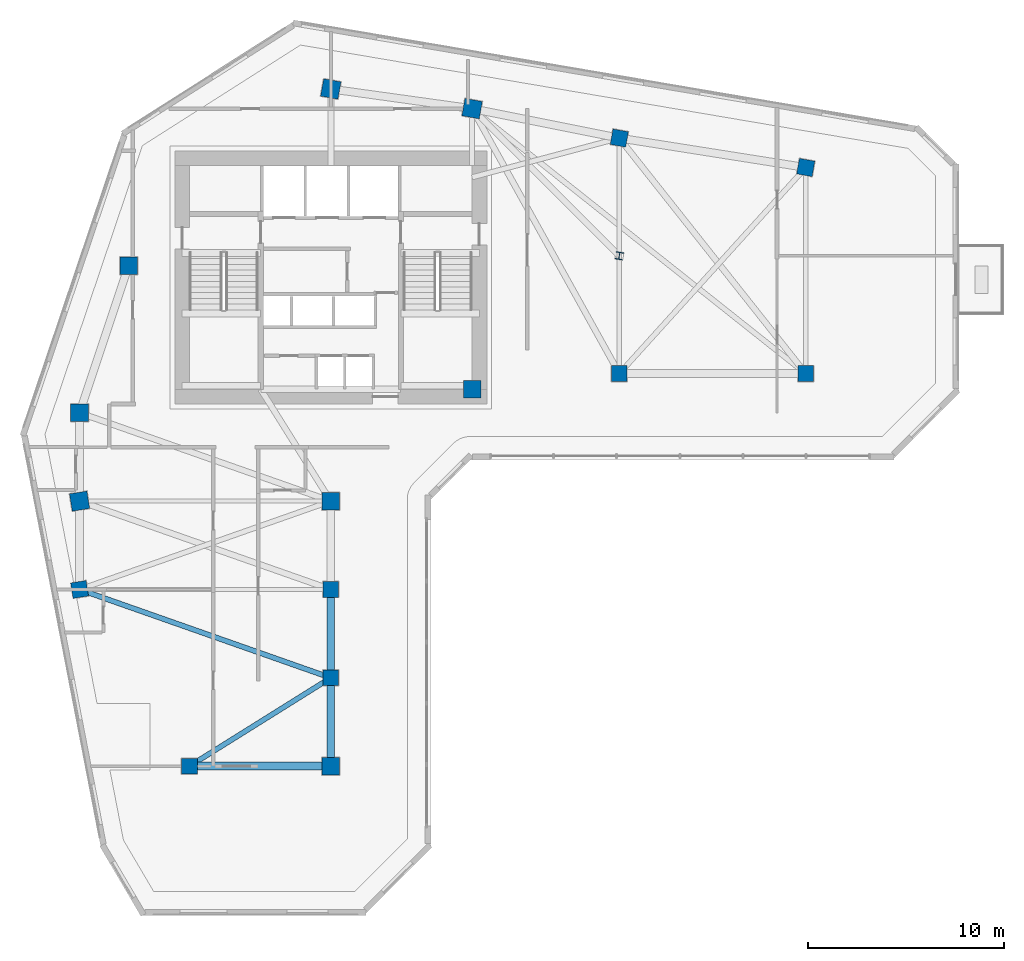
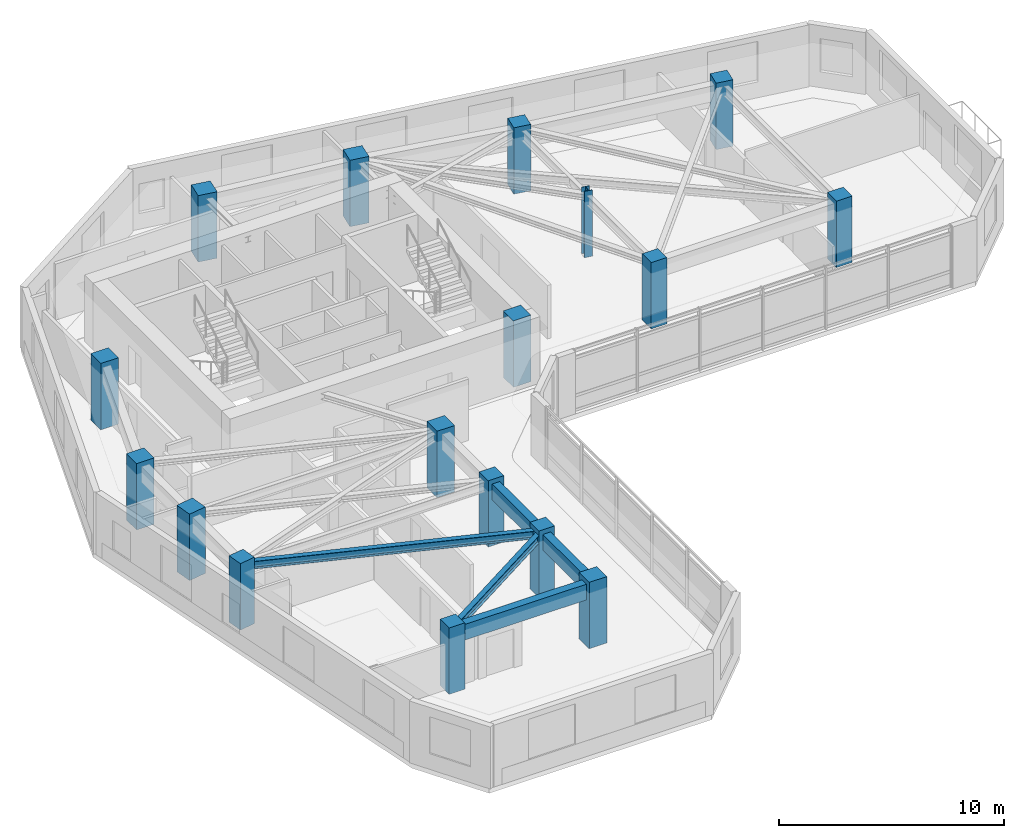
# One storey, part 1 of 13: 17 columns, 5 beams.
"""IFC4 building model written with IfcOpenShell, lengths in metres."""

import ifcopenshell
import ifcopenshell.guid

model = None  # the IFC model being written
_history = None  # IfcOwnerHistory: only IFC2X3 demands one
_inside = {}  # id of a spatial element -> (the spatial element, [elements in it])
_under = {}  # id of a project, library or spatial element -> (it, [spatial elements below it])
_declared = {}  # id of a project -> (the project, [libraries it declares])
_typed = {}  # id of a type object -> (the type object, [elements of that type])
_made_of = {}  # id of a material, layer set ... -> (it, [elements and type objects made of it])


def new_model(schema):
    """Start an empty IFC model of exactly this schema.

    Asked for "IFC4X3", IfcOpenShell would pick the latest addendum, in which some entities
    have other attributes; the version numbers below select the first issue.
    IFC2X3 requires an IfcOwnerHistory on every rooted entity: one is made here for all.
    """
    global model, _history
    if schema == "IFC4X3":
        model = ifcopenshell.file(schema_version=(4, 3, 0, 0))
    else:
        model = ifcopenshell.file(schema=schema)
    _inside.clear()
    _under.clear()
    _declared.clear()
    _typed.clear()
    _made_of.clear()
    _history = None
    if model.schema == "IFC2X3":
        org = make("IfcOrganization", Name="unknown")
        user = make(
            "IfcPersonAndOrganization",
            ThePerson=make("IfcPerson", FamilyName="unknown"),
            TheOrganization=org,
        )
        app = make(
            "IfcApplication",
            ApplicationDeveloper=org,
            Version="unknown",
            ApplicationFullName="unknown",
            ApplicationIdentifier="unknown",
        )
        _history = make(
            "IfcOwnerHistory",
            OwningUser=user,
            OwningApplication=app,
            ChangeAction="ADDED",
            CreationDate=0,
        )
    return model


def make(cls, **values):
    """One entity of the class cls with the attributes given. An attribute that is None is left unset."""
    return model.create_entity(
        cls, **{name: value for name, value in values.items() if value is not None}
    )


def rooted(cls, **values):
    """An entity with a GlobalId (a new one), such as an element, a storey or a relation."""
    return make(cls, GlobalId=ifcopenshell.guid.new(), OwnerHistory=_history, **values)


def si_unit(unit_type, name, prefix=None):
    """IfcSIUnit, for example si_unit("LENGTHUNIT", "METRE", prefix="MILLI")."""
    return make("IfcSIUnit", UnitType=unit_type, Prefix=prefix, Name=name)


def assignment(units):
    """IfcUnitAssignment: the units of a project."""
    return None if units is None else make("IfcUnitAssignment", Units=units)


def point(xyz):
    """IfcCartesianPoint."""
    return None if xyz is None else make("IfcCartesianPoint", Coordinates=xyz)


def direction(xyz):
    """IfcDirection."""
    return None if xyz is None else make("IfcDirection", DirectionRatios=xyz)


def frame(location, z_axis=None, x_axis=None):
    """IfcAxis2Placement3D, a coordinate frame: its origin and axes. An axis left out is left unset."""
    return make(
        "IfcAxis2Placement3D",
        Location=point(location),
        Axis=direction(z_axis),
        RefDirection=direction(x_axis),
    )


def frame_2d(location, x_axis=None):
    """IfcAxis2Placement2D, a coordinate frame in the plane: its origin and x axis."""
    return make(
        "IfcAxis2Placement2D", Location=point(location), RefDirection=direction(x_axis)
    )


def origin():
    """The frame at (0, 0, 0) with its axes left unset."""
    return frame((0.0, 0.0, 0.0))


def origin_2d():
    """The frame at (0, 0) in the plane with its x axis left unset."""
    return frame_2d((0.0, 0.0))


def place(relative_to, where):
    """IfcLocalPlacement: puts the frame where relative to a parent placement (None: the world)."""
    return make(
        "IfcLocalPlacement", PlacementRelTo=relative_to, RelativePlacement=where
    )


def context(
    kind, dimensions, precision=None, world=None, true_north=None, identifier=None
):
    """IfcGeometricRepresentationContext, for example the 3D "Model" context."""
    return make(
        "IfcGeometricRepresentationContext",
        ContextIdentifier=identifier,
        ContextType=kind,
        CoordinateSpaceDimension=dimensions,
        Precision=precision,
        WorldCoordinateSystem=world,
        TrueNorth=true_north,
    )


def subcontext(parent, identifier, kind, view, scale=None):
    """IfcGeometricRepresentationSubContext, for example "Body" below "Model"."""
    return make(
        "IfcGeometricRepresentationSubContext",
        ContextIdentifier=identifier,
        ContextType=kind,
        ParentContext=parent,
        TargetScale=scale,
        TargetView=view,
    )


def project(units=None, contexts=None):
    """IfcProject with its units and contexts."""
    return rooted(
        "IfcProject",
        Name="project",
        RepresentationContexts=contexts,
        UnitsInContext=assignment(units),
    )


def spatial(cls, under=None, at=None, **own):
    """A site, building, storey or space (cls), placed at a placement, below another one or the project."""
    s = rooted(cls, ObjectPlacement=at, **own)
    if under is not None:
        _under.setdefault(under.id(), (under, []))[1].append(s)
    return s


def profile(cls, at=None, kind="AREA", **sizes):
    """A parametric profile (cls). Its sizes go by their IFC names, for example OverallWidth=200.0."""
    return make(cls, ProfileType=kind, Position=at, **sizes)


def rectangle(**sizes):
    """IfcRectangleProfileDef."""
    return profile("IfcRectangleProfileDef", **sizes)


def i_section(**sizes):
    """IfcIShapeProfileDef."""
    return profile("IfcIShapeProfileDef", **sizes)


def extrude(swept, where, along, depth):
    """IfcExtrudedAreaSolid: the profile swept, set in the frame where, extruded along a direction by depth."""
    return make(
        "IfcExtrudedAreaSolid",
        SweptArea=swept,
        Position=where,
        ExtrudedDirection=direction(along),
        Depth=depth,
    )


def shape(context_of_items, identifier, shape_type, items):
    """IfcShapeRepresentation: the items that make up one representation, for example the "Body"."""
    return make(
        "IfcShapeRepresentation",
        ContextOfItems=context_of_items,
        RepresentationIdentifier=identifier,
        RepresentationType=shape_type,
        Items=items,
    )


def source(mapping_origin, context_of_items, identifier, shape_type, items):
    """IfcRepresentationMap: a shape defined once, which mapped items show again and again."""
    return make(
        "IfcRepresentationMap",
        MappingOrigin=mapping_origin,
        MappedRepresentation=shape(context_of_items, identifier, shape_type, items),
    )


def transform(
    local_origin,
    x_axis=None,
    y_axis=None,
    z_axis=None,
    scale=None,
    scale2=None,
    scale3=None,
    uniform=True,
):
    """IfcCartesianTransformationOperator3D, or its non-uniform kind. x_axis, y_axis, z_axis: its Axis1, 2, 3."""
    if uniform:
        return make(
            "IfcCartesianTransformationOperator3D",
            Axis1=direction(x_axis),
            Axis2=direction(y_axis),
            LocalOrigin=point(local_origin),
            Scale=scale,
            Axis3=direction(z_axis),
        )
    return make(
        "IfcCartesianTransformationOperator3DnonUniform",
        Axis1=direction(x_axis),
        Axis2=direction(y_axis),
        LocalOrigin=point(local_origin),
        Scale=scale,
        Axis3=direction(z_axis),
        Scale2=scale2,
        Scale3=scale3,
    )


def mapped(mapping_source, mapping_target):
    """IfcMappedItem: shows the shape of a source again, moved by a transform."""
    return make(
        "IfcMappedItem", MappingSource=mapping_source, MappingTarget=mapping_target
    )


def material(Name=None, Category=None):
    """IfcMaterial."""
    return make("IfcMaterial", Name=Name, Category=Category)


def material_profile(
    of_material, cross_section, Name=None, Category=None, Priority=None
):
    """IfcMaterialProfile: a cross section and its material."""
    return make(
        "IfcMaterialProfile",
        Name=Name,
        Material=of_material,
        Profile=cross_section,
        Priority=Priority,
        Category=Category,
    )


def profile_set(profiles, Name=None, composite=None):
    """IfcMaterialProfileSet."""
    return make(
        "IfcMaterialProfileSet",
        Name=Name,
        MaterialProfiles=profiles,
        CompositeProfile=composite,
    )


def made_of(thing, what):
    """Note that an element or type object is made of a material, layer set ...; save() writes the relation."""
    if what is not None:
        _made_of.setdefault(what.id(), (what, []))[1].append(thing)
    return thing


def type_object(cls, material=None, **own):
    """A type object (cls), such as IfcWallType, which elements share."""
    return made_of(rooted(cls, **own), material)


def element(
    cls,
    number,
    at=None,
    inside=None,
    cuts=None,
    type_object=None,
    material=None,
    context=None,
    identifier="Body",
    shape_type=None,
    held_by="IfcProductDefinitionShape",
    body=None,
    shapes=None,
    **own,
):
    """One element of the class cls, such as IfcWall. Its Tag is "e" and its number.

    at: its placement. inside: the storey or other place that contains it. cuts: it is an
    opening in that element (IfcRelVoidsElement). A single representation is given by context,
    identifier, shape_type and body (its items); several are given by shapes. held_by: the class
    of the entity that holds the representations. save() writes the other relations.
    """
    e = rooted(cls, Tag="e%d" % number, ObjectPlacement=at, **own)
    if body is not None:
        shapes = [shape(context, identifier, shape_type, body)]
    if shapes is not None:
        e.Representation = make(held_by, Representations=shapes)
    if inside is not None:
        _inside.setdefault(inside.id(), (inside, []))[1].append(e)
    if cuts is not None:
        rooted(
            "IfcRelVoidsElement", RelatingBuildingElement=cuts, RelatedOpeningElement=e
        )
    if type_object is not None:
        _typed.setdefault(type_object.id(), (type_object, []))[1].append(e)
    return made_of(e, material)


def aggregate(whole, parts):
    """IfcRelAggregates: a whole, such as a stair, and the parts it consists of."""
    return rooted("IfcRelAggregates", RelatingObject=whole, RelatedObjects=parts)


def save(model, path):
    """Write the relations noted so far, then the file.

    IfcRelAggregates (storeys below a building ...), IfcRelContainedInSpatialStructure (elements
    in a storey), IfcRelDefinesByType, IfcRelAssociatesMaterial and IfcRelDeclares: one each for
    every whole, place, type object, material and project.
    """
    for whole, parts in _under.values():
        aggregate(whole, parts)
    for where, things in _inside.values():
        rooted(
            "IfcRelContainedInSpatialStructure",
            RelatedElements=things,
            RelatingStructure=where,
        )
    for kind, things in _typed.values():
        rooted("IfcRelDefinesByType", RelatedObjects=things, RelatingType=kind)
    for what, things in _made_of.values():
        rooted("IfcRelAssociatesMaterial", RelatedObjects=things, RelatingMaterial=what)
    for by, libraries in _declared.values():
        rooted("IfcRelDeclares", RelatingContext=by, RelatedDefinitions=libraries)
    model.write(path)


model = new_model("IFC4")

# Units and contexts
model_context = context("Model", 3, precision=1e-05, world=origin(), true_north=direction((0.0, 1.0)))
body_context = subcontext(model_context, "Body", "Model", "MODEL_VIEW")
ifc_project = project(units=[si_unit("LENGTHUNIT", "METRE"), si_unit("AREAUNIT", "SQUARE_METRE"), si_unit("VOLUMEUNIT", "CUBIC_METRE"), si_unit("PLANEANGLEUNIT", "RADIAN"), si_unit("MASSUNIT", "GRAM", prefix="KILO")], contexts=[model_context])

# Site, building, storey
site_placement = place(None, origin())
site = spatial("IfcSite", under=ifc_project, at=site_placement, CompositionType="ELEMENT")
building_placement = place(site_placement, origin())
building = spatial("IfcBuilding", under=site, at=building_placement, Name="Calvemar Wedge Station Tower", CompositionType="ELEMENT")
storey_placement = place(building_placement, frame((0.0, 0.0, 132.199951171875)))
storey = spatial("IfcBuildingStorey", under=building, at=storey_placement, Name="L32", CompositionType="ELEMENT", Elevation=132.199951171875)

# Columns
ifc_material_1 = material(Name="Concrete C60", Category="concrete")
ifc_material_profile_1 = material_profile(ifc_material_1, rectangle(XDim=0.89990234375, YDim=0.89990234375, at=origin_2d()), Name="RC900x900")
ifc_profile_set_1 = profile_set([ifc_material_profile_1], Name="Concrete C60")
column_type_1 = type_object("IfcColumnType", Name="COL-C5-900", PredefinedType="COLUMN", material=ifc_profile_set_1)
shared_shape_1 = source(origin(), body_context, "Body", "SweptSolid", [
    extrude(rectangle(XDim=0.89990234375, YDim=0.89990234375, at=origin_2d()), origin(), (0.0, 0.0, 1.0), 3.60009765625),
])
for number, where, z_axis, x_axis, name in (
    (1, (11.0, 33.0, 0.0), (0.0, 0.0, 1.0), (1.0, 0.0, 0.0), "Storey L32 Column T-NW1"),
    (2, (13.5, 40.5, 0.0), (0.0, 0.0, 1.0), (1.0, 0.0, 0.0), "Storey L32 Column T-NW2"),
    (3, (23.800048828125, 49.5, 0.0), (0.0, 0.0, 1.0), (0.984195607969, -0.17708474032, 0.0), "Storey L32 Column T-N1"),
    (4, (31.0, 48.5, 0.0), (0.0, 0.0, 1.0), (0.984195607969, -0.17708474032, 0.0), "Storey L32 Column T-N2"),
    (5, (31.0, 34.199951171875, 0.0), (0.0, 0.0, 1.0), (1.0, 0.0, 0.0), "Storey L32 Column T-NL1"),
    (6, (11.0, 28.5, 0.0), (0.0, 0.0, 1.0), (0.158158067254, -0.987413806751, 0.0), "Storey L32 Column T-SW1"),
    (7, (23.800048828125, 28.5, 0.0), (0.0, 0.0, 1.0), (1.0, 0.0, 0.0), "Storey L32 Column T-SE1"),
    (8, (23.800048828125, 15.0, 0.0), (0.0, 0.0, 1.0), (1.0, 0.0, 0.0), "Storey L32 Column T-SE4"),
):
    element("IfcColumn", number, at=place(storey_placement, frame(where, z_axis=z_axis, x_axis=x_axis)), inside=storey, type_object=column_type_1, Name=name, PredefinedType="COLUMN", context=body_context, shape_type="MappedRepresentation", body=[
        mapped(shared_shape_1, transform((0.0, 0.0, 0.0), scale=1.0)),
    ])
ifc_material_2 = material(Name="Concrete C50", Category="concrete")
ifc_material_profile_2 = material_profile(ifc_material_2, rectangle(XDim=0.800048828125, YDim=0.800048828125, at=origin_2d()), Name="RC800x800")
ifc_profile_set_2 = profile_set([ifc_material_profile_2], Name="Concrete C50")
column_type_2 = type_object("IfcColumnType", Name="COL-C6-800", PredefinedType="COLUMN", material=ifc_profile_set_2)
shared_shape_2 = source(origin(), body_context, "Body", "SweptSolid", [
    extrude(rectangle(XDim=0.800048828125, YDim=0.800048828125, at=origin_2d()), origin(), (0.0, 0.0, 1.0), 3.60009765625),
])
for number, where, z_axis, x_axis, name in (
    (9, (38.5, 47.0, 0.0), (0.0, 0.0, 1.0), (0.984195607969, -0.17708474032, 0.0), "Storey L32 Column T-NU3"),
    (10, (48.0, 45.5, 0.0), (0.0, 0.0, 1.0), (0.984195607969, -0.17708474032, 0.0), "Storey L32 Column T-NU4"),
    (11, (38.5, 35.0, 0.0), (0.0, 0.0, 1.0), (1.0, 0.0, 0.0), "Storey L32 Column T-NL2"),
    (12, (48.0, 35.0, 0.0), (0.0, 0.0, 1.0), (1.0, 0.0, 0.0), "Storey L32 Column T-NL3"),
    (13, (11.0, 24.0, 0.0), (0.0, 0.0, 1.0), (0.158158067254, -0.987413806751, 0.0), "Storey L32 Column T-SW2"),
    (14, (23.800048828125, 24.0, 0.0), (0.0, 0.0, 1.0), (1.0, 0.0, 0.0), "Storey L32 Column T-SE2"),
    (15, (23.800048828125, 19.5, 0.0), (0.0, 0.0, 1.0), (1.0, 0.0, 0.0), "Storey L32 Column T-SE3"),
    (16, (16.60009765625, 15.0, 0.0), (0.0, 0.0, 1.0), (1.0, 0.0, 0.0), "Storey L32 Column T-SM1"),
):
    element("IfcColumn", number, at=place(storey_placement, frame(where, z_axis=z_axis, x_axis=x_axis)), inside=storey, type_object=column_type_2, Name=name, PredefinedType="COLUMN", context=body_context, shape_type="MappedRepresentation", body=[
        mapped(shared_shape_2, transform((0.0, 0.0, 0.0), scale=1.0)),
    ])
ifc_material_3 = material(Name="Structural steel ASTM A572 Grade 50", Category="steel")
ifc_material_profile_3 = material_profile(ifc_material_3, i_section(OverallWidth=0.3740234375, OverallDepth=0.3720703125, WebThickness=0.016357421875, FlangeThickness=0.026123046875, FilletRadius=0.014892578125, at=origin_2d()), Name="W360x196")
ifc_profile_set_3 = profile_set([ifc_material_profile_3], Name="Structural steel ASTM A572 Grade 50")
column_type_3 = type_object("IfcColumnType", Name="COL-STL-W360", PredefinedType="COLUMN", material=ifc_profile_set_3)
shared_shape_3 = source(origin(), body_context, "Body", "SweptSolid", [
    extrude(i_section(OverallWidth=0.3740234375, OverallDepth=0.3720703125, WebThickness=0.016357421875, FlangeThickness=0.026123046875, FilletRadius=0.014892578125, at=origin_2d()), origin(), (0.0, 0.0, 1.0), 3.60009765625),
])
column_placement = place(storey_placement, frame((38.5, 41.0, 0.0), z_axis=(0.0, 0.0, 1.0), x_axis=(0.984195607969, -0.17708474032, 0.0)))
element("IfcColumn", 17, at=column_placement, inside=storey, type_object=column_type_3, Name="Storey L32 Column T-NTIP-B", PredefinedType="COLUMN", context=body_context, shape_type="MappedRepresentation", body=[
    mapped(shared_shape_3, transform((0.0, 0.0, 0.0), scale=1.0)),
])

# Beams
ifc_material_profile_4 = material_profile(ifc_material_1, rectangle(XDim=0.39990234375, YDim=0.85009765625, at=origin_2d()), Name="RC400x850")
ifc_profile_set_4 = profile_set([ifc_material_profile_4], Name="Concrete C60")
beam_type_1 = type_object("IfcBeamType", Name="BM-SP1-850", PredefinedType="SPANDREL", material=ifc_profile_set_4)
shared_shape_4 = source(origin(), body_context, "Body", "SweptSolid", [
    extrude(rectangle(XDim=0.39990234375, YDim=0.85009765625, at=origin_2d()), origin(), (0.0, 0.0, 1.0), 4.5),
])
for number, where, z_axis, x_axis, name in (
    (18, (23.800048828125, 24.0, 2.925048828125), (0.0, -1.0, 0.0), (1.0, 0.0, 0.0), "Storey L32 Spandrel T-SE2-T-SE3"),
    (19, (23.800048828125, 19.5, 2.925048828125), (0.0, -1.0, 0.0), (1.0, 0.0, 0.0), "Storey L32 Spandrel T-SE3-T-SE4"),
):
    element("IfcBeam", number, at=place(storey_placement, frame(where, z_axis=z_axis, x_axis=x_axis)), inside=storey, type_object=beam_type_1, Name=name, PredefinedType="SPANDREL", context=body_context, shape_type="MappedRepresentation", body=[
        mapped(shared_shape_4, transform((0.0, 0.0, 0.0), scale=1.0)),
    ])
shared_shape_5 = source(origin(), body_context, "Body", "SweptSolid", [
    extrude(rectangle(XDim=0.39990234375, YDim=0.85009765625, at=origin_2d()), origin(), (0.0, 0.0, 1.0), 7.199951171875),
])
beam_1_placement = place(storey_placement, frame((16.60009765625, 15.0, 2.925048828125), z_axis=(1.0, 0.0, 0.0), x_axis=(0.0, 1.0, 0.0)))
element("IfcBeam", 20, at=beam_1_placement, inside=storey, type_object=beam_type_1, Name="Storey L32 Spandrel T-SM1-T-SE4", PredefinedType="SPANDREL", context=body_context, shape_type="MappedRepresentation", body=[
    mapped(shared_shape_5, transform((0.0, 0.0, 0.0), scale=1.0)),
])
ifc_material_profile_5 = material_profile(ifc_material_3, i_section(OverallWidth=0.260986328125, OverallDepth=0.419921875, WebThickness=0.01171875, FlangeThickness=0.019287109375, FilletRadius=0.012939453125, at=origin_2d()), Name="W410x114")
ifc_profile_set_5 = profile_set([ifc_material_profile_5], Name="Structural steel ASTM A572 Grade 50")
beam_type_2 = type_object("IfcBeamType", Name="BM-J2-W410H", PredefinedType="JOIST", material=ifc_profile_set_5)
shared_shape_6 = source(origin(), body_context, "Body", "SweptSolid", [
    extrude(i_section(OverallWidth=0.260986328125, OverallDepth=0.419921875, WebThickness=0.01171875, FlangeThickness=0.019287109375, FilletRadius=0.012939453125, at=origin_2d()), origin(), (0.0, 0.0, 1.0), 13.568115234375),
])
beam_2_placement = place(storey_placement, frame((11.0, 24.0, 3.14013671875), z_axis=(0.943398221169, -0.331662171939, 0.0), x_axis=(0.331662171939, 0.943398221169, 0.0)))
element("IfcBeam", 21, at=beam_2_placement, inside=storey, type_object=beam_type_2, Name="Storey L32 Floor Beam T-SW2-T-SE3", PredefinedType="JOIST", context=body_context, shape_type="MappedRepresentation", body=[
    mapped(shared_shape_6, transform((0.0, 0.0, 0.0), scale=1.0)),
])
shared_shape_7 = source(origin(), body_context, "Body", "SweptSolid", [
    extrude(i_section(OverallWidth=0.260986328125, OverallDepth=0.419921875, WebThickness=0.01171875, FlangeThickness=0.019287109375, FilletRadius=0.012939453125, at=origin_2d()), origin(), (0.0, 0.0, 1.0), 8.490478515625),
])
beam_3_placement = place(storey_placement, frame((23.800048828125, 19.5, 3.14013671875), z_axis=(-0.847996688584, -0.530001524668, 0.0), x_axis=(0.530001524668, -0.847996688584, 0.0)))
element("IfcBeam", 22, at=beam_3_placement, inside=storey, type_object=beam_type_2, Name="Storey L32 Floor Beam T-SE3-T-SM1", PredefinedType="JOIST", context=body_context, shape_type="MappedRepresentation", body=[
    mapped(shared_shape_7, transform((0.0, 0.0, 0.0), scale=1.0)),
])

save(model, "model.ifc")
